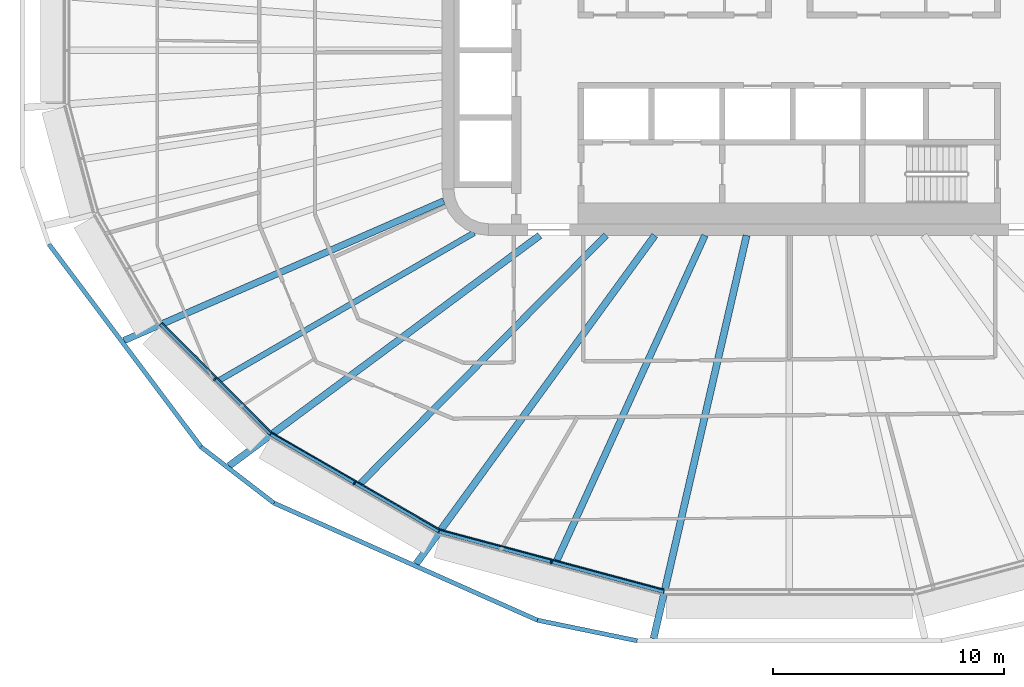
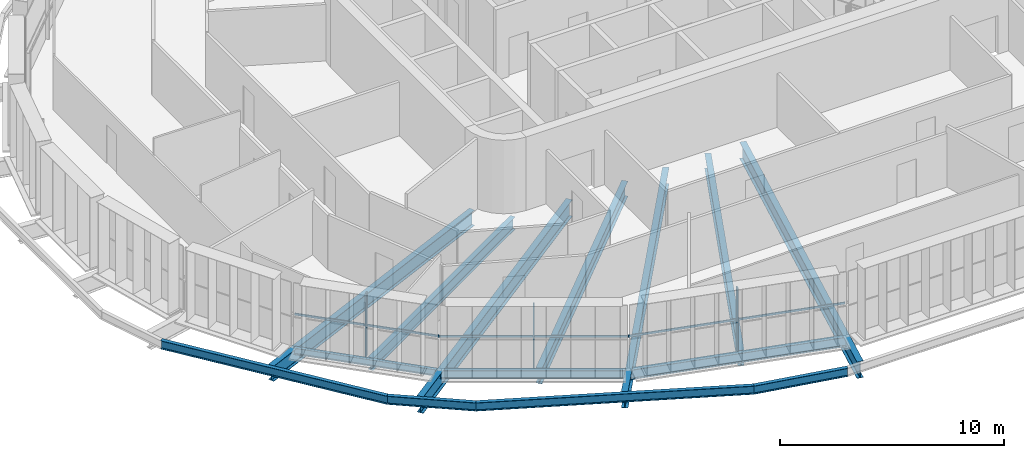
# One storey, part 1 of 23: 14 beams, 6 members, 3 elements without a shape of their own.
"""IFC4 building model written with IfcOpenShell, lengths in metres."""

import ifcopenshell
import ifcopenshell.guid

model = None  # the IFC model being written
_history = None  # IfcOwnerHistory: only IFC2X3 demands one
_inside = {}  # id of a spatial element -> (the spatial element, [elements in it])
_under = {}  # id of a project, library or spatial element -> (it, [spatial elements below it])
_declared = {}  # id of a project -> (the project, [libraries it declares])
_typed = {}  # id of a type object -> (the type object, [elements of that type])
_made_of = {}  # id of a material, layer set ... -> (it, [elements and type objects made of it])


def new_model(schema):
    """Start an empty IFC model of exactly this schema.

    Asked for "IFC4X3", IfcOpenShell would pick the latest addendum, in which some entities
    have other attributes; the version numbers below select the first issue.
    IFC2X3 requires an IfcOwnerHistory on every rooted entity: one is made here for all.
    """
    global model, _history
    if schema == "IFC4X3":
        model = ifcopenshell.file(schema_version=(4, 3, 0, 0))
    else:
        model = ifcopenshell.file(schema=schema)
    _inside.clear()
    _under.clear()
    _declared.clear()
    _typed.clear()
    _made_of.clear()
    _history = None
    if model.schema == "IFC2X3":
        org = make("IfcOrganization", Name="unknown")
        user = make(
            "IfcPersonAndOrganization",
            ThePerson=make("IfcPerson", FamilyName="unknown"),
            TheOrganization=org,
        )
        app = make(
            "IfcApplication",
            ApplicationDeveloper=org,
            Version="unknown",
            ApplicationFullName="unknown",
            ApplicationIdentifier="unknown",
        )
        _history = make(
            "IfcOwnerHistory",
            OwningUser=user,
            OwningApplication=app,
            ChangeAction="ADDED",
            CreationDate=0,
        )
    return model


def make(cls, **values):
    """One entity of the class cls with the attributes given. An attribute that is None is left unset."""
    return model.create_entity(
        cls, **{name: value for name, value in values.items() if value is not None}
    )


def rooted(cls, **values):
    """An entity with a GlobalId (a new one), such as an element, a storey or a relation."""
    return make(cls, GlobalId=ifcopenshell.guid.new(), OwnerHistory=_history, **values)


def si_unit(unit_type, name, prefix=None):
    """IfcSIUnit, for example si_unit("LENGTHUNIT", "METRE", prefix="MILLI")."""
    return make("IfcSIUnit", UnitType=unit_type, Prefix=prefix, Name=name)


def assignment(units):
    """IfcUnitAssignment: the units of a project."""
    return None if units is None else make("IfcUnitAssignment", Units=units)


def point(xyz):
    """IfcCartesianPoint."""
    return None if xyz is None else make("IfcCartesianPoint", Coordinates=xyz)


def direction(xyz):
    """IfcDirection."""
    return None if xyz is None else make("IfcDirection", DirectionRatios=xyz)


def frame(location, z_axis=None, x_axis=None):
    """IfcAxis2Placement3D, a coordinate frame: its origin and axes. An axis left out is left unset."""
    return make(
        "IfcAxis2Placement3D",
        Location=point(location),
        Axis=direction(z_axis),
        RefDirection=direction(x_axis),
    )


def frame_2d(location, x_axis=None):
    """IfcAxis2Placement2D, a coordinate frame in the plane: its origin and x axis."""
    return make(
        "IfcAxis2Placement2D", Location=point(location), RefDirection=direction(x_axis)
    )


def origin():
    """The frame at (0, 0, 0) with its axes left unset."""
    return frame((0.0, 0.0, 0.0))


def origin_2d():
    """The frame at (0, 0) in the plane with its x axis left unset."""
    return frame_2d((0.0, 0.0))


def place(relative_to, where):
    """IfcLocalPlacement: puts the frame where relative to a parent placement (None: the world)."""
    return make(
        "IfcLocalPlacement", PlacementRelTo=relative_to, RelativePlacement=where
    )


def context(
    kind, dimensions, precision=None, world=None, true_north=None, identifier=None
):
    """IfcGeometricRepresentationContext, for example the 3D "Model" context."""
    return make(
        "IfcGeometricRepresentationContext",
        ContextIdentifier=identifier,
        ContextType=kind,
        CoordinateSpaceDimension=dimensions,
        Precision=precision,
        WorldCoordinateSystem=world,
        TrueNorth=true_north,
    )


def subcontext(parent, identifier, kind, view, scale=None):
    """IfcGeometricRepresentationSubContext, for example "Body" below "Model"."""
    return make(
        "IfcGeometricRepresentationSubContext",
        ContextIdentifier=identifier,
        ContextType=kind,
        ParentContext=parent,
        TargetScale=scale,
        TargetView=view,
    )


def project(units=None, contexts=None):
    """IfcProject with its units and contexts."""
    return rooted(
        "IfcProject",
        Name="project",
        RepresentationContexts=contexts,
        UnitsInContext=assignment(units),
    )


def spatial(cls, under=None, at=None, **own):
    """A site, building, storey or space (cls), placed at a placement, below another one or the project."""
    s = rooted(cls, ObjectPlacement=at, **own)
    if under is not None:
        _under.setdefault(under.id(), (under, []))[1].append(s)
    return s


def profile(cls, at=None, kind="AREA", **sizes):
    """A parametric profile (cls). Its sizes go by their IFC names, for example OverallWidth=200.0."""
    return make(cls, ProfileType=kind, Position=at, **sizes)


def rectangle(**sizes):
    """IfcRectangleProfileDef."""
    return profile("IfcRectangleProfileDef", **sizes)


def i_section(**sizes):
    """IfcIShapeProfileDef."""
    return profile("IfcIShapeProfileDef", **sizes)


def extrude(swept, where, along, depth):
    """IfcExtrudedAreaSolid: the profile swept, set in the frame where, extruded along a direction by depth."""
    return make(
        "IfcExtrudedAreaSolid",
        SweptArea=swept,
        Position=where,
        ExtrudedDirection=direction(along),
        Depth=depth,
    )


def shape(context_of_items, identifier, shape_type, items):
    """IfcShapeRepresentation: the items that make up one representation, for example the "Body"."""
    return make(
        "IfcShapeRepresentation",
        ContextOfItems=context_of_items,
        RepresentationIdentifier=identifier,
        RepresentationType=shape_type,
        Items=items,
    )


def material(Name=None, Category=None):
    """IfcMaterial."""
    return make("IfcMaterial", Name=Name, Category=Category)


def layer(
    of_material, thickness, ventilated=None, Name=None, Category=None, Priority=None
):
    """IfcMaterialLayer: one layer of a wall or slab, of a material (None: an air gap)."""
    return make(
        "IfcMaterialLayer",
        Material=of_material,
        LayerThickness=thickness,
        IsVentilated=ventilated,
        Name=Name,
        Category=Category,
        Priority=Priority,
    )


def layer_set(layers, Name=None):
    """IfcMaterialLayerSet."""
    return make("IfcMaterialLayerSet", MaterialLayers=layers, LayerSetName=Name)


def material_profile(
    of_material, cross_section, Name=None, Category=None, Priority=None
):
    """IfcMaterialProfile: a cross section and its material."""
    return make(
        "IfcMaterialProfile",
        Name=Name,
        Material=of_material,
        Profile=cross_section,
        Priority=Priority,
        Category=Category,
    )


def profile_set(profiles, Name=None, composite=None):
    """IfcMaterialProfileSet."""
    return make(
        "IfcMaterialProfileSet",
        Name=Name,
        MaterialProfiles=profiles,
        CompositeProfile=composite,
    )


def made_of(thing, what):
    """Note that an element or type object is made of a material, layer set ...; save() writes the relation."""
    if what is not None:
        _made_of.setdefault(what.id(), (what, []))[1].append(thing)
    return thing


def type_object(cls, material=None, **own):
    """A type object (cls), such as IfcWallType, which elements share."""
    return made_of(rooted(cls, **own), material)


def element(
    cls,
    number,
    at=None,
    inside=None,
    cuts=None,
    type_object=None,
    material=None,
    context=None,
    identifier="Body",
    shape_type=None,
    held_by="IfcProductDefinitionShape",
    body=None,
    shapes=None,
    **own,
):
    """One element of the class cls, such as IfcWall. Its Tag is "e" and its number.

    at: its placement. inside: the storey or other place that contains it. cuts: it is an
    opening in that element (IfcRelVoidsElement). A single representation is given by context,
    identifier, shape_type and body (its items); several are given by shapes. held_by: the class
    of the entity that holds the representations. save() writes the other relations.
    """
    e = rooted(cls, Tag="e%d" % number, ObjectPlacement=at, **own)
    if body is not None:
        shapes = [shape(context, identifier, shape_type, body)]
    if shapes is not None:
        e.Representation = make(held_by, Representations=shapes)
    if inside is not None:
        _inside.setdefault(inside.id(), (inside, []))[1].append(e)
    if cuts is not None:
        rooted(
            "IfcRelVoidsElement", RelatingBuildingElement=cuts, RelatedOpeningElement=e
        )
    if type_object is not None:
        _typed.setdefault(type_object.id(), (type_object, []))[1].append(e)
    return made_of(e, material)


def aggregate(whole, parts):
    """IfcRelAggregates: a whole, such as a stair, and the parts it consists of."""
    return rooted("IfcRelAggregates", RelatingObject=whole, RelatedObjects=parts)


def save(model, path):
    """Write the relations noted so far, then the file.

    IfcRelAggregates (storeys below a building ...), IfcRelContainedInSpatialStructure (elements
    in a storey), IfcRelDefinesByType, IfcRelAssociatesMaterial and IfcRelDeclares: one each for
    every whole, place, type object, material and project.
    """
    for whole, parts in _under.values():
        aggregate(whole, parts)
    for where, things in _inside.values():
        rooted(
            "IfcRelContainedInSpatialStructure",
            RelatedElements=things,
            RelatingStructure=where,
        )
    for kind, things in _typed.values():
        rooted("IfcRelDefinesByType", RelatedObjects=things, RelatingType=kind)
    for what, things in _made_of.values():
        rooted("IfcRelAssociatesMaterial", RelatedObjects=things, RelatingMaterial=what)
    for by, libraries in _declared.values():
        rooted("IfcRelDeclares", RelatingContext=by, RelatedDefinitions=libraries)
    model.write(path)


model = new_model("IFC4")

# Units and contexts
model_context = context("Model", 3, precision=1e-05, world=origin(), true_north=direction((0.0, 1.0)))
body_context = subcontext(model_context, "Body", "Model", "MODEL_VIEW")
ifc_project = project(units=[si_unit("LENGTHUNIT", "METRE"), si_unit("AREAUNIT", "SQUARE_METRE"), si_unit("VOLUMEUNIT", "CUBIC_METRE"), si_unit("PLANEANGLEUNIT", "RADIAN"), si_unit("MASSUNIT", "GRAM", prefix="KILO")], contexts=[model_context])

# Site, building, storey
site_placement = place(None, origin())
site = spatial("IfcSite", under=ifc_project, at=site_placement, CompositionType="ELEMENT")
building_placement = place(site_placement, origin())
building = spatial("IfcBuilding", under=site, at=building_placement, Name="Sahrelin Media Tower", CompositionType="ELEMENT")
storey_placement = place(building_placement, frame((0.0, 0.0, 161.60009765625)))
storey = spatial("IfcBuildingStorey", under=building, at=storey_placement, Name="L33", CompositionType="ELEMENT", Elevation=161.60009765625)

# Beams
ifc_material_1 = material(Name="Steel S355", Category="steel")
ifc_material_profile_1 = material_profile(ifc_material_1, i_section(OverallWidth=0.17138671875, OverallDepth=0.35498046875, WebThickness=0.00732421875, FlangeThickness=0.011474609375, FilletRadius=0.01025390625, at=origin_2d()), Name="UB 356x171x51")
ifc_profile_set_1 = profile_set([ifc_material_profile_1], Name="Steel S355")
beam_type_1 = type_object("IfcBeamType", Name="Edge beam EB3", PredefinedType="BEAM", material=ifc_profile_set_1)
beam_1_placement = place(storey_placement, frame((-22.424072265625, -16.564697265625, -0.32763671875), z_axis=(-0.707088574851, 0.707124987054, 0.0), x_axis=(-0.707124987054, -0.707088574851, 0.0)))
element("IfcBeam", 1, at=beam_1_placement, inside=storey, type_object=beam_type_1, Name="Edge beam L33-10", PredefinedType="BEAM", context=body_context, shape_type="SweptSolid", body=[
    extrude(i_section(OverallWidth=0.17138671875, OverallDepth=0.35498046875, WebThickness=0.00732421875, FlangeThickness=0.011474609375, FilletRadius=0.01025390625, at=origin_2d()), origin(), (0.0, 0.0, 1.0), 6.704833984375),
])
ifc_material_profile_2 = material_profile(ifc_material_1, i_section(OverallWidth=0.1904296875, OverallDepth=0.45703125, WebThickness=0.009033203125, FlangeThickness=0.014404296875, FilletRadius=0.01025390625, at=origin_2d()), Name="UB 457x191x74")
ifc_profile_set_2 = profile_set([ifc_material_profile_2], Name="Steel S355")
beam_type_2 = type_object("IfcBeamType", Name="Edge beam EB5", PredefinedType="BEAM", material=ifc_profile_set_2)
beam_2_placement = place(storey_placement, frame((-15.15087890625, -20.76806640625, -0.378662109375), z_axis=(-0.866019985848, 0.500009384024, 0.0), x_axis=(-0.500009384024, -0.866019985848, 0.0)))
element("IfcBeam", 2, at=beam_2_placement, inside=storey, type_object=beam_type_2, Name="Edge beam L33-09", PredefinedType="BEAM", context=body_context, shape_type="SweptSolid", body=[
    extrude(i_section(OverallWidth=0.1904296875, OverallDepth=0.45703125, WebThickness=0.009033203125, FlangeThickness=0.014404296875, FilletRadius=0.01025390625, at=origin_2d()), origin(), (0.0, 0.0, 1.0), 8.371826171875),
])
ifc_material_profile_3 = material_profile(ifc_material_1, i_section(OverallWidth=0.208740234375, OverallDepth=0.5283203125, WebThickness=0.009521484375, FlangeThickness=0.01318359375, FilletRadius=0.0126953125, at=origin_2d()), Name="UB 533x210x82")
ifc_profile_set_3 = profile_set([ifc_material_profile_3], Name="Steel S355")
beam_type_3 = type_object("IfcBeamType", Name="Edge beam EB6", PredefinedType="BEAM", material=ifc_profile_set_3)
beam_3_placement = place(storey_placement, frame((-5.422607421875, -23.378662109375, -0.414306640625), z_axis=(-0.965924398273, 0.258824374473, 0.0), x_axis=(-0.258824374473, -0.965924398273, 0.0)))
element("IfcBeam", 3, at=beam_3_placement, inside=storey, type_object=beam_type_3, Name="Edge beam L33-08", PredefinedType="BEAM", context=body_context, shape_type="SweptSolid", body=[
    extrude(i_section(OverallWidth=0.208740234375, OverallDepth=0.5283203125, WebThickness=0.009521484375, FlangeThickness=0.01318359375, FilletRadius=0.0126953125, at=origin_2d()), origin(), (0.0, 0.0, 1.0), 10.0439453125),
])

# Curtain wall, member
ifc_material_2 = material(Name="Champagne anodised aluminium 6063-T6", Category="aluminium")
ifc_layer = layer(ifc_material_2, 0.14990234375)
ifc_layer_set = layer_set([ifc_layer], Name="Tower ribbon curtain wall")
curtain_wall_type = type_object("IfcCurtainWallType", Name="Tower ribbon curtain wall", PredefinedType="NOTDEFINED", material=ifc_layer_set)
curtain_wall_1_placement = place(storey_placement, frame((-24.900634765625, -14.30029296875, 0.0), z_axis=(0.0, 0.0, 1.0), x_axis=(1.0, 0.0, 0.0)))
curtain_wall_1 = element("IfcCurtainWall", 4, at=curtain_wall_1_placement, inside=storey, type_object=curtain_wall_type, Name="L33:CW:L33-15", PredefinedType="NOTDEFINED")
ifc_material_profile_4 = material_profile(ifc_material_2, rectangle(XDim=0.06005859375, YDim=0.175048828125, at=origin_2d()), Name="Mullion 60x175")
ifc_profile_set_4 = profile_set([ifc_material_profile_4], Name="Champagne anodised aluminium 6063-T6")
member_type_1 = type_object("IfcMemberType", Name="Mullion 60x175 CW1B", PredefinedType="MULLION", material=ifc_profile_set_4)
member_1_placement = place(storey_placement, frame((-24.824462890625, -14.22412109375, 0.0), z_axis=(0.0, 0.0, 1.0), x_axis=(0.707106781187, -0.707106781187, 0.0)))
member_1 = element("IfcMember", 5, at=member_1_placement, type_object=member_type_1, Name="L33:CWM:L33-15", PredefinedType="MULLION", context=body_context, shape_type="SweptSolid", body=[
    extrude(rectangle(XDim=0.06005859375, YDim=0.175048828125, at=origin_2d()), origin(), (0.0, 0.0, 1.0), 3.448486328125),
])

curtain_wall_2_placement = place(storey_placement, frame((-18.85107421875, -18.804931640625, 0.0), z_axis=(0.0, 0.0, 1.0), x_axis=(1.0, 0.0, 0.0)))
curtain_wall_2 = element("IfcCurtainWall", 6, at=curtain_wall_2_placement, inside=storey, type_object=curtain_wall_type, Name="L33:CW:L33-16", PredefinedType="NOTDEFINED")
member_2_placement = place(storey_placement, frame((-18.797119140625, -18.7119140625, 0.0), z_axis=(0.0, 0.0, 1.0), x_axis=(0.866025403784, -0.5, 0.0)))
member_2 = element("IfcMember", 7, at=member_2_placement, type_object=member_type_1, Name="L33:CWM:L33-16", PredefinedType="MULLION", context=body_context, shape_type="SweptSolid", body=[
    extrude(rectangle(XDim=0.06005859375, YDim=0.175048828125, at=origin_2d()), origin(), (0.0, 0.0, 1.0), 3.448486328125),
])

curtain_wall_3_placement = place(storey_placement, frame((-10.312255859375, -22.2236328125, 0.0), z_axis=(0.0, 0.0, 1.0), x_axis=(1.0, 0.0, 0.0)))
curtain_wall_3 = element("IfcCurtainWall", 8, at=curtain_wall_3_placement, inside=storey, type_object=curtain_wall_type, Name="L33:CW:L33-17", PredefinedType="NOTDEFINED")
member_3_placement = place(storey_placement, frame((-10.284423828125, -22.119873046875, 0.0), z_axis=(0.0, 0.0, 1.0), x_axis=(0.965926729732, -0.258815673384, 0.0)))
member_3 = element("IfcMember", 9, at=member_3_placement, type_object=member_type_1, Name="L33:CWM:L33-17", PredefinedType="MULLION", context=body_context, shape_type="SweptSolid", body=[
    extrude(rectangle(XDim=0.06005859375, YDim=0.175048828125, at=origin_2d()), origin(), (0.0, 0.0, 1.0), 3.448486328125),
])

# Beams
ifc_material_profile_5 = material_profile(ifc_material_1, i_section(OverallWidth=0.291748046875, OverallDepth=0.8349609375, WebThickness=0.013916015625, FlangeThickness=0.018798828125, FilletRadius=0.017822265625, at=origin_2d()), Name="UB 838x292x176")
ifc_profile_set_5 = profile_set([ifc_material_profile_5], Name="Steel S355")
beam_type_4 = type_object("IfcBeamType", Name="Radial primary beam PB10", PredefinedType="BEAM", material=ifc_profile_set_5)
beam_4_placement = place(storey_placement, frame((-14.9326171875, -6.51318359375, -0.567626953125), z_axis=(-0.916605175985, -0.399793635964, 0.0), x_axis=(0.399793635964, -0.916605175985, 0.0)))
element("IfcBeam", 10, at=beam_4_placement, inside=storey, type_object=beam_type_4, Name="Radial beam L33-15", PredefinedType="BEAM", context=body_context, shape_type="SweptSolid", body=[
    extrude(i_section(OverallWidth=0.291748046875, OverallDepth=0.8349609375, WebThickness=0.013916015625, FlangeThickness=0.018798828125, FilletRadius=0.017822265625, at=origin_2d()), origin(), (0.0, 0.0, 1.0), 15.082275390625),
])
ifc_material_profile_6 = material_profile(ifc_material_1, i_section(OverallWidth=0.30322265625, OverallDepth=0.903076171875, WebThickness=0.01513671875, FlangeThickness=0.020263671875, FilletRadius=0.01904296875, at=origin_2d()), Name="UB 914x305x201")
ifc_profile_set_6 = profile_set([ifc_material_profile_6], Name="Steel S355")
beam_type_5 = type_object("IfcBeamType", Name="Radial primary beam PB11", PredefinedType="BEAM", material=ifc_profile_set_6)
beam_5_placement = place(storey_placement, frame((-10.784423828125, -8.0, -0.6015625), z_axis=(-0.803147173912, -0.595780678637, 0.0), x_axis=(0.595780678637, -0.803147173912, 0.0)))
element("IfcBeam", 11, at=beam_5_placement, inside=storey, type_object=beam_type_5, Name="Radial beam L33-16", PredefinedType="BEAM", context=body_context, shape_type="SweptSolid", body=[
    extrude(i_section(OverallWidth=0.30322265625, OverallDepth=0.903076171875, WebThickness=0.01513671875, FlangeThickness=0.020263671875, FilletRadius=0.01904296875, at=origin_2d()), origin(), (0.0, 0.0, 1.0), 16.7158203125),
])
beam_6_placement = place(storey_placement, frame((-5.8125, -8.0, -0.6015625), z_axis=(-0.587799384359, -0.809006726639, 0.0), x_axis=(0.809006726639, -0.587799384359, 0.0)))
element("IfcBeam", 12, at=beam_6_placement, inside=storey, type_object=beam_type_5, Name="Radial beam L33-17", PredefinedType="BEAM", context=body_context, shape_type="SweptSolid", body=[
    extrude(i_section(OverallWidth=0.30322265625, OverallDepth=0.903076171875, WebThickness=0.01513671875, FlangeThickness=0.020263671875, FilletRadius=0.01904296875, at=origin_2d()), origin(), (0.0, 0.0, 1.0), 17.54833984375),
])
beam_7_placement = place(storey_placement, frame((-1.845458984375, -8.0, -0.6015625), z_axis=(-0.224765776998, -0.974412820878, 0.0), x_axis=(0.974412820878, -0.224765776998, 0.0)))
element("IfcBeam", 13, at=beam_7_placement, inside=storey, type_object=beam_type_5, Name="Radial beam L33-18", PredefinedType="BEAM", context=body_context, shape_type="SweptSolid", body=[
    extrude(i_section(OverallWidth=0.30322265625, OverallDepth=0.903076171875, WebThickness=0.01513671875, FlangeThickness=0.020263671875, FilletRadius=0.01904296875, at=origin_2d()), origin(), (0.0, 0.0, 1.0), 17.882080078125),
])
ifc_material_profile_7 = material_profile(ifc_material_1, i_section(OverallWidth=0.291748046875, OverallDepth=0.8349609375, WebThickness=0.013916015625, FlangeThickness=0.018798828125, FilletRadius=0.017822265625, at=origin_2d()), Name="UB 838x292x176")
ifc_profile_set_7 = profile_set([ifc_material_profile_7], Name="Steel S355")
beam_type_6 = type_object("IfcBeamType", Name="Radial secondary beam SB10", PredefinedType="BEAM", material=ifc_profile_set_7)
beam_8_placement = place(storey_placement, frame((-7.921142578125, -8.0, -0.567626953125), z_axis=(-0.703599162107, -0.710597086317, 0.0), x_axis=(0.710597086317, -0.703599162107, 0.0)))
element("IfcBeam", 14, at=beam_8_placement, inside=storey, type_object=beam_type_6, Name="Secondary beam L33-16", PredefinedType="BEAM", context=body_context, shape_type="SweptSolid", body=[
    extrude(i_section(OverallWidth=0.291748046875, OverallDepth=0.8349609375, WebThickness=0.013916015625, FlangeThickness=0.018798828125, FilletRadius=0.017822265625, at=origin_2d()), origin(), (0.0, 0.0, 1.0), 15.071533203125),
])
beam_9_placement = place(storey_placement, frame((-3.64501953125, -8.0, -0.567626953125), z_axis=(-0.414613847662, -0.909997449077, 0.0), x_axis=(0.909997449077, -0.414613847662, 0.0)))
element("IfcBeam", 15, at=beam_9_placement, inside=storey, type_object=beam_type_6, Name="Secondary beam L33-17", PredefinedType="BEAM", context=body_context, shape_type="SweptSolid", body=[
    extrude(i_section(OverallWidth=0.291748046875, OverallDepth=0.8349609375, WebThickness=0.013916015625, FlangeThickness=0.018798828125, FilletRadius=0.017822265625, at=origin_2d()), origin(), (0.0, 0.0, 1.0), 15.421630859375),
])
ifc_material_profile_8 = material_profile(ifc_material_1, i_section(OverallWidth=0.2529296875, OverallDepth=0.677978515625, WebThickness=0.01171875, FlangeThickness=0.01611328125, FilletRadius=0.01513671875, at=origin_2d()), Name="UB 686x254x125")
ifc_profile_set_8 = profile_set([ifc_material_profile_8], Name="Steel S355")
beam_type_7 = type_object("IfcBeamType", Name="Radial secondary beam SB8", PredefinedType="BEAM", material=ifc_profile_set_8)
beam_10_placement = place(storey_placement, frame((-13.624755859375, -7.887451171875, -0.489013671875), z_axis=(-0.865442516247, -0.501008234535, 0.0), x_axis=(0.501008234535, -0.865442516247, 0.0)))
element("IfcBeam", 16, at=beam_10_placement, inside=storey, type_object=beam_type_7, Name="Secondary beam L33-15", PredefinedType="BEAM", context=body_context, shape_type="SweptSolid", body=[
    extrude(i_section(OverallWidth=0.2529296875, OverallDepth=0.677978515625, WebThickness=0.01171875, FlangeThickness=0.01611328125, FilletRadius=0.01513671875, at=origin_2d()), origin(), (0.0, 0.0, 1.0), 12.700927734375),
])
ifc_material_profile_9 = material_profile(ifc_material_1, i_section(OverallWidth=0.1904296875, OverallDepth=0.45703125, WebThickness=0.009033203125, FlangeThickness=0.014404296875, FilletRadius=0.01025390625, at=origin_2d()), Name="UB 457x191x74")
ifc_profile_set_9 = profile_set([ifc_material_profile_9], Name="Steel S355")
beam_type_8 = type_object("IfcBeamType", Name="Tie chord TC5", PredefinedType="BEAM", material=ifc_profile_set_9)
beam_11_placement = place(storey_placement, frame((-32.001708984375, -8.37646484375, -0.378662109375), z_axis=(0.600060592458, -0.799954552071, 0.0), x_axis=(0.799954552071, 0.600060592458, 0.0)))
element("IfcBeam", 17, at=beam_11_placement, inside=storey, type_object=beam_type_8, Name="Tie chord L33-14", PredefinedType="BEAM", context=body_context, shape_type="SweptSolid", body=[
    extrude(i_section(OverallWidth=0.1904296875, OverallDepth=0.45703125, WebThickness=0.009033203125, FlangeThickness=0.014404296875, FilletRadius=0.01025390625, at=origin_2d()), origin(), (0.0, 0.0, 1.0), 10.959228515625),
])
beam_12_placement = place(storey_placement, frame((-25.425537109375, -17.143310546875, -0.378662109375), z_axis=(0.792471121329, -0.609909437424, 0.0), x_axis=(0.609909437424, 0.792471121329, 0.0)))
element("IfcBeam", 18, at=beam_12_placement, inside=storey, type_object=beam_type_8, Name="Tie chord L33-15", PredefinedType="BEAM", context=body_context, shape_type="SweptSolid", body=[
    extrude(i_section(OverallWidth=0.1904296875, OverallDepth=0.45703125, WebThickness=0.009033203125, FlangeThickness=0.014404296875, FilletRadius=0.01025390625, at=origin_2d()), origin(), (0.0, 0.0, 1.0), 3.978515625),
])
beam_13_placement = place(storey_placement, frame((-22.272705078125, -19.56982421875, -0.378662109375), z_axis=(0.913823664299, -0.40611120468, 0.0), x_axis=(0.40611120468, 0.913823664299, 0.0)))
element("IfcBeam", 19, at=beam_13_placement, inside=storey, type_object=beam_type_8, Name="Tie chord L33-16", PredefinedType="BEAM", context=body_context, shape_type="SweptSolid", body=[
    extrude(i_section(OverallWidth=0.1904296875, OverallDepth=0.45703125, WebThickness=0.009033203125, FlangeThickness=0.014404296875, FilletRadius=0.01025390625, at=origin_2d()), origin(), (0.0, 0.0, 1.0), 12.464111328125),
])
beam_14_placement = place(storey_placement, frame((-10.8828125, -24.631591796875, -0.378662109375), z_axis=(0.979388611009, -0.201985020796, 0.0), x_axis=(0.201985020796, 0.979388611009, 0.0)))
element("IfcBeam", 20, at=beam_14_placement, inside=storey, type_object=beam_type_8, Name="Tie chord L33-17", PredefinedType="BEAM", context=body_context, shape_type="SweptSolid", body=[
    extrude(i_section(OverallWidth=0.1904296875, OverallDepth=0.45703125, WebThickness=0.009033203125, FlangeThickness=0.014404296875, FilletRadius=0.01025390625, at=origin_2d()), origin(), (0.0, 0.0, 1.0), 4.397216796875),
])

# Member
ifc_material_profile_10 = material_profile(ifc_material_2, rectangle(XDim=0.050048828125, YDim=0.110107421875, at=origin_2d()), Name="Transom 50x110")
ifc_profile_set_10 = profile_set([ifc_material_profile_10], Name="Champagne anodised aluminium 6063-T6")
member_type_2 = type_object("IfcMemberType", Name="Transom 50x110 CW1B", PredefinedType="USERDEFINED", material=ifc_profile_set_10)
member_4_placement = place(storey_placement, frame((-27.1044921875, -11.78515625, 1.599853515625), z_axis=(0.707125072767, -0.707088489133, 0.0), x_axis=(0.707088489133, 0.707125072767, 0.0)))
member_4 = element("IfcMember", 21, at=member_4_placement, type_object=member_type_2, Name="L33:CWT:L33-15", ObjectType="TRANSOM", PredefinedType="USERDEFINED", context=body_context, shape_type="SweptSolid", body=[
    extrude(rectangle(XDim=0.050048828125, YDim=0.110107421875, at=origin_2d()), origin(), (0.0, 0.0, 1.0), 6.673583984375),
])

aggregate(curtain_wall_1, [member_1, member_4])

member_5_placement = place(storey_placement, frame((-22.3525390625, -16.529296875, 1.599853515625), z_axis=(0.866018876994, -0.500011304563, 0.0), x_axis=(0.500011304563, 0.866018876994, 0.0)))
member_5 = element("IfcMember", 22, at=member_5_placement, type_object=member_type_2, Name="L33:CWT:L33-16", ObjectType="TRANSOM", PredefinedType="USERDEFINED", context=body_context, shape_type="SweptSolid", body=[
    extrude(rectangle(XDim=0.050048828125, YDim=0.110107421875, at=origin_2d()), origin(), (0.0, 0.0, 1.0), 8.340576171875),
])

aggregate(curtain_wall_2, [member_2, member_5])

member_6_placement = place(storey_placement, frame((-15.091064453125, -20.715576171875, 1.599853515625), z_axis=(0.965929113775, -0.258806775726, 0.0), x_axis=(0.258806775726, 0.965929113775, 0.0)))
member_6 = element("IfcMember", 23, at=member_6_placement, type_object=member_type_2, Name="L33:CWT:L33-17", ObjectType="TRANSOM", PredefinedType="USERDEFINED", context=body_context, shape_type="SweptSolid", body=[
    extrude(rectangle(XDim=0.050048828125, YDim=0.110107421875, at=origin_2d()), origin(), (0.0, 0.0, 1.0), 10.012451171875),
])

aggregate(curtain_wall_3, [member_3, member_6])

save(model, "model.ifc")
